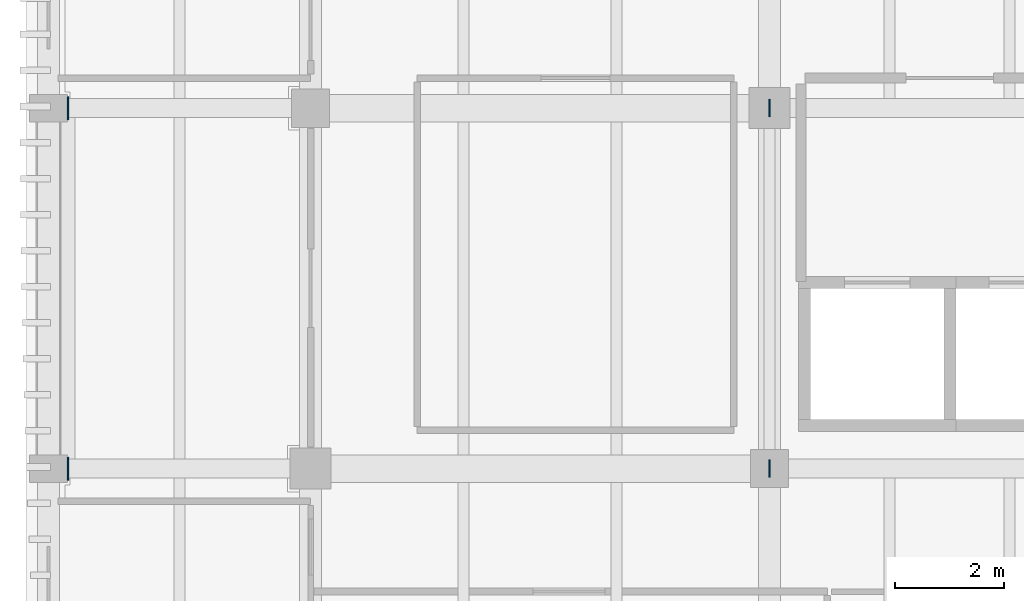
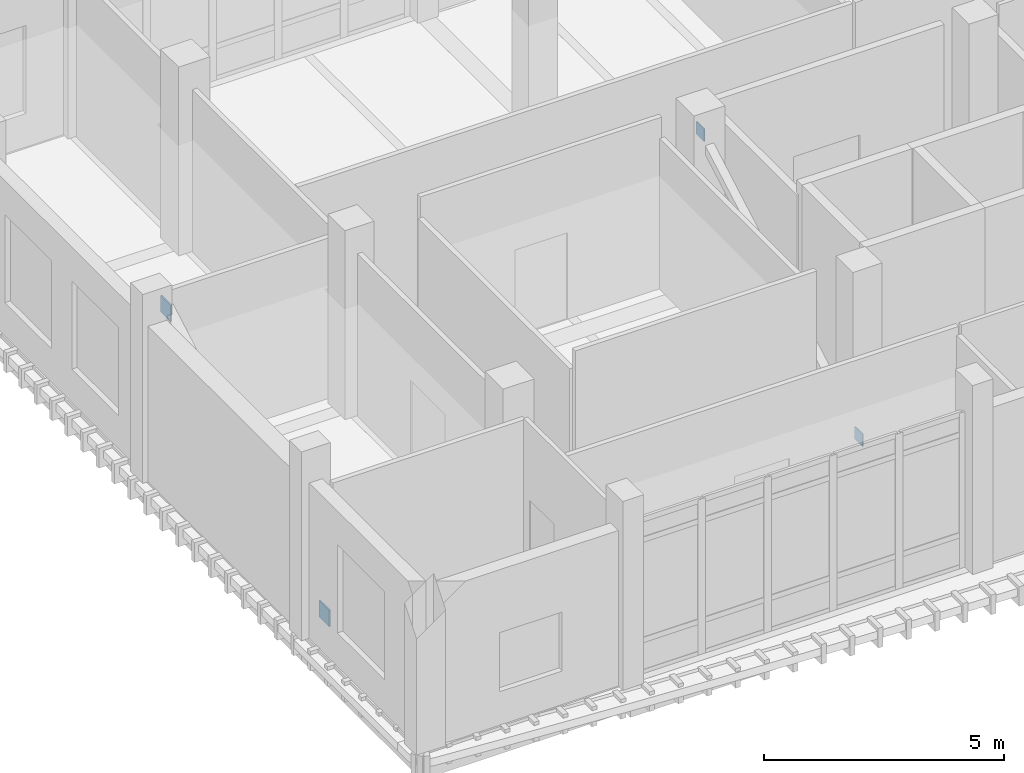
# One storey, part 24 of 50: 4 plates.
"""IFC4 building model written with IfcOpenShell, lengths in metres."""

from ifc_helpers import new_model, si_unit, direction, frame, origin, origin_2d, place, context, subcontext, project, spatial, rectangle, extrude, material, layer, layer_set, type_object, element, save


model = new_model("IFC4")

# Units and contexts
model_context = context("Model", 3, precision=1e-05, world=origin(), true_north=direction((0.0, 1.0)))
body_context = subcontext(model_context, "Body", "Model", "MODEL_VIEW")
ifc_project = project(units=[si_unit("LENGTHUNIT", "METRE"), si_unit("AREAUNIT", "SQUARE_METRE"), si_unit("VOLUMEUNIT", "CUBIC_METRE"), si_unit("PLANEANGLEUNIT", "RADIAN"), si_unit("MASSUNIT", "GRAM", prefix="KILO")], contexts=[model_context])

# Site, building, storey
site_placement = place(None, origin())
site = spatial("IfcSite", under=ifc_project, at=site_placement, CompositionType="ELEMENT")
building_placement = place(site_placement, origin())
building = spatial("IfcBuilding", under=site, at=building_placement, Name="Dornvale Research Institute", CompositionType="ELEMENT")
storey_placement = place(building_placement, frame((0.0, 0.0, 19.800048828125)))
storey = spatial("IfcBuildingStorey", under=building, at=storey_placement, Name="L04", CompositionType="ELEMENT", Elevation=19.800048828125)

# Plates
ifc_material_1 = material(Name="Steel ASTM A572 Grade 50", Category="steel")
ifc_layer_1 = layer(ifc_material_1, 0.02490234375)
ifc_layer_set_1 = layer_set([ifc_layer_1], Name="Steel ASTM A572 Grade 50")
plate_type_1 = type_object("IfcPlateType", Name="SheetPlate_EndCap_25", PredefinedType="SHEET", material=ifc_layer_set_1)
for number, where, z_axis, x_axis, name in (
    (1, (13.199951171875, 103.800048828125, 0.14013671875), (0.0, 0.0, 1.0), (0.0, 1.0, 0.0), "HSS brace node gusset and cap plate ND-033"),
    (2, (13.199951171875, 110.39990234375, 3.89013671875), (0.0, 0.0, 1.0), (0.0, 1.0, 0.0), "HSS brace node gusset and cap plate ND-034"),
):
    element("IfcPlate", number, at=place(storey_placement, frame(where, z_axis=z_axis, x_axis=x_axis)), inside=storey, type_object=plate_type_1, Name=name, PredefinedType="SHEET", context=body_context, shape_type="SweptSolid", body=[
        extrude(rectangle(XDim=0.320068359375, YDim=0.02490234375, at=origin_2d()), origin(), (0.0, 0.0, 1.0), 0.320068359375),
    ])
ifc_material_2 = material(Name="Steel ASTM A572 Grade 50", Category="steel")
ifc_layer_2 = layer(ifc_material_2, 0.031982421875)
ifc_layer_set_2 = layer_set([ifc_layer_2], Name="Steel ASTM A572 Grade 50")
plate_type_2 = type_object("IfcPlateType", Name="SheetPlate_Gusset_32", PredefinedType="SHEET", material=ifc_layer_set_2)
for number, where, z_axis, x_axis, name in (
    (3, (0.360107421875, 103.800048828125, 0.090087890625), (0.0, 0.0, 1.0), (0.0, 1.0, 0.0), "HSS brace node gusset and cap plate ND-023"),
    (4, (0.360107421875, 110.39990234375, 3.840087890625), (0.0, 0.0, 1.0), (0.0, 1.0, 0.0), "HSS brace node gusset and cap plate ND-024"),
):
    element("IfcPlate", number, at=place(storey_placement, frame(where, z_axis=z_axis, x_axis=x_axis)), inside=storey, type_object=plate_type_2, Name=name, PredefinedType="SHEET", context=body_context, shape_type="SweptSolid", body=[
        extrude(rectangle(XDim=0.419921875, YDim=0.031982421875, at=origin_2d()), origin(), (0.0, 0.0, 1.0), 0.419921875),
    ])

save(model, "model.ifc")
